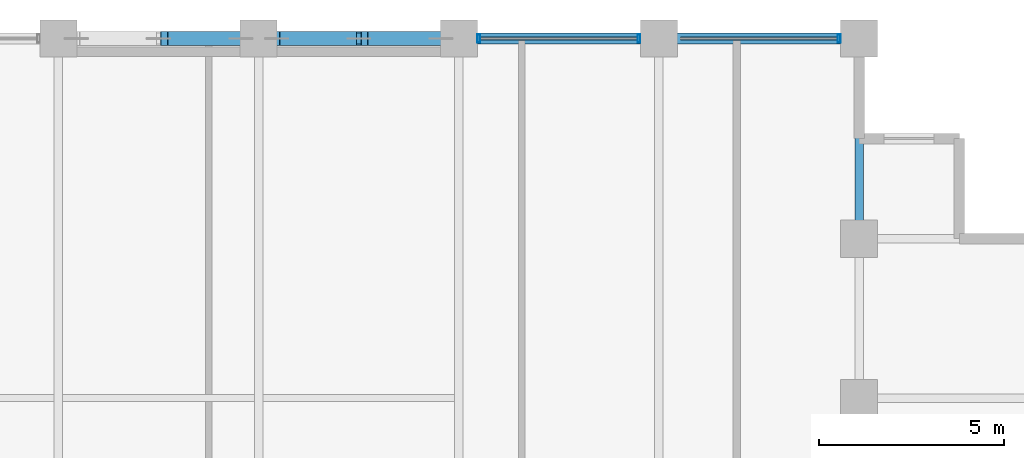
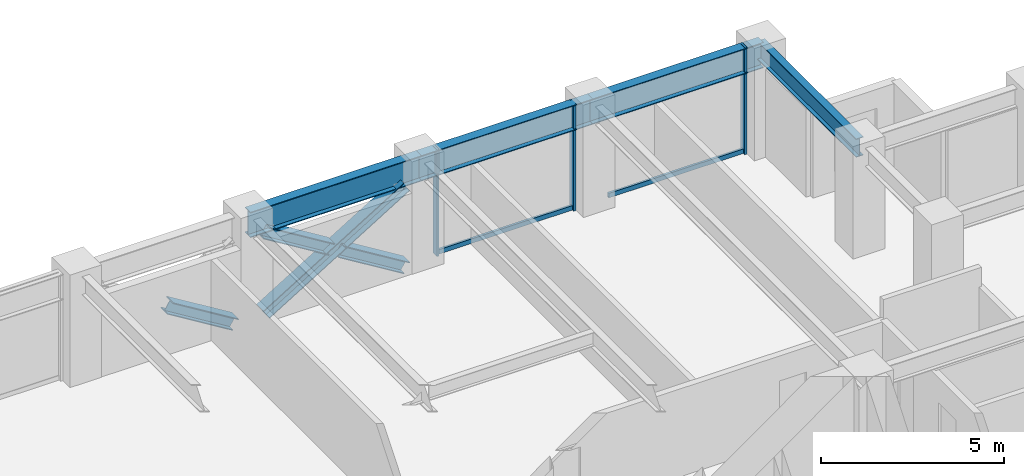
# One storey, part 17 of 26: 9 members, 4 beams, 1 element without a shape of its own.
"""IFC4 building model written with IfcOpenShell, lengths in metres."""

from ifc_helpers import new_model, si_unit, direction, frame, origin, origin_2d, place, context, subcontext, project, spatial, hollow_rectangle, i_section, extrude, material, layer, layer_set, material_profile, profile_set, type_object, element, aggregate, save


model = new_model("IFC4")

# Units and contexts
model_context = context("Model", 3, precision=1e-05, world=origin(), true_north=direction((0.0, 1.0)))
body_context = subcontext(model_context, "Body", "Model", "MODEL_VIEW")
ifc_project = project(units=[si_unit("LENGTHUNIT", "METRE"), si_unit("AREAUNIT", "SQUARE_METRE"), si_unit("VOLUMEUNIT", "CUBIC_METRE"), si_unit("PLANEANGLEUNIT", "RADIAN"), si_unit("MASSUNIT", "GRAM", prefix="KILO")], contexts=[model_context])

# Site, building, storey
site_placement = place(None, origin())
site = spatial("IfcSite", under=ifc_project, at=site_placement, CompositionType="ELEMENT")
building_placement = place(site_placement, origin())
building = spatial("IfcBuilding", under=site, at=building_placement, Name="Surkhivell Harbour Commons", CompositionType="ELEMENT")
storey_placement = place(building_placement, frame((0.0, 0.0, 143.25)))
storey = spatial("IfcBuildingStorey", under=building, at=storey_placement, Name="L37", CompositionType="ELEMENT", Elevation=143.25)

# Beams
ifc_material_1 = material(Name="Steel S355", Category="steel")
ifc_material_profile_1 = material_profile(ifc_material_1, i_section(OverallWidth=0.22998046875, OverallDepth=0.616943359375, WebThickness=0.01318359375, FlangeThickness=0.022216796875, at=origin_2d()), Name="UB610x229x140")
ifc_profile_set_1 = profile_set([ifc_material_profile_1], Name="Steel S355")
beam_type_1 = type_object("IfcBeamType", Name="BM-GRD-610B", PredefinedType="BEAM", material=ifc_profile_set_1)
beam_1_placement = place(storey_placement, frame((16.199951171875, 20.5, 3.261474609375), z_axis=(0.0, 1.0, 0.0), x_axis=(-1.0, 0.0, 0.0)))
element("IfcBeam", 1, at=beam_1_placement, inside=storey, type_object=beam_type_1, Name="L37 Floor Girder (16.2,20.5)", PredefinedType="BEAM", context=body_context, shape_type="SweptSolid", body=[
    extrude(i_section(OverallWidth=0.22998046875, OverallDepth=0.616943359375, WebThickness=0.01318359375, FlangeThickness=0.022216796875, at=origin_2d()), origin(), (0.0, 0.0, 1.0), 5.39990234375),
])
ifc_material_2 = material(Name="Steel S460", Category="steel")
ifc_material_profile_2 = material_profile(ifc_material_2, i_section(OverallWidth=0.2939453125, OverallDepth=0.85107421875, WebThickness=0.01611328125, FlangeThickness=0.02685546875, at=origin_2d()), Name="UB838x292x226")
ifc_profile_set_2 = profile_set([ifc_material_profile_2], Name="Steel S460")
beam_type_2 = type_object("IfcBeamType", Name="BM-SPN-838", PredefinedType="SPANDREL", material=ifc_profile_set_2)
beam_2_placement = place(storey_placement, frame((0.0, 25.89990234375, 3.14453125), z_axis=(1.0, 0.0, 0.0), x_axis=(0.0, 1.0, 0.0)))
element("IfcBeam", 2, at=beam_2_placement, inside=storey, type_object=beam_type_2, Name="L37 Tube Spandrel (-0.0,25.9)", PredefinedType="SPANDREL", context=body_context, shape_type="SweptSolid", body=[
    extrude(i_section(OverallWidth=0.2939453125, OverallDepth=0.85107421875, WebThickness=0.01611328125, FlangeThickness=0.02685546875, at=origin_2d()), origin(), (0.0, 0.0, 1.0), 5.39990234375),
])
beam_3_placement = place(storey_placement, frame((5.39990234375, 25.89990234375, 3.14453125), z_axis=(1.0, 0.0, 0.0), x_axis=(0.0, 1.0, 0.0)))
element("IfcBeam", 3, at=beam_3_placement, inside=storey, type_object=beam_type_2, Name="L37 Tube Spandrel (5.4,25.9)", PredefinedType="SPANDREL", context=body_context, shape_type="SweptSolid", body=[
    extrude(i_section(OverallWidth=0.2939453125, OverallDepth=0.85107421875, WebThickness=0.01611328125, FlangeThickness=0.02685546875, at=origin_2d()), origin(), (0.0, 0.0, 1.0), 5.400146484375),
])
beam_4_placement = place(storey_placement, frame((10.800048828125, 25.89990234375, 3.14453125), z_axis=(1.0, 0.0, 0.0), x_axis=(0.0, 1.0, 0.0)))
element("IfcBeam", 4, at=beam_4_placement, inside=storey, type_object=beam_type_2, Name="L37 Tube Spandrel (10.8,25.9)", PredefinedType="SPANDREL", context=body_context, shape_type="SweptSolid", body=[
    extrude(i_section(OverallWidth=0.2939453125, OverallDepth=0.85107421875, WebThickness=0.01611328125, FlangeThickness=0.02685546875, at=origin_2d()), origin(), (0.0, 0.0, 1.0), 5.39990234375),
])

# Curtain wall, members
ifc_material_3 = material(Name="Anodised pale-metal aluminium and insulated glazing", Category="aluminium")
ifc_layer = layer(ifc_material_3, 0.205078125)
ifc_layer_set = layer_set([ifc_layer], Name="Anodised pale-metal aluminium and insulated glazing")
curtain_wall_type = type_object("IfcCurtainWallType", Name="CW-SYS-Z2", PredefinedType="NOTDEFINED", material=ifc_layer_set)
curtain_wall_placement = place(storey_placement, origin())
curtain_wall = element("IfcCurtainWall", 5, at=curtain_wall_placement, inside=storey, type_object=curtain_wall_type, Name="L37 Curtain Wall CW-L37-E07S1", PredefinedType="NOTDEFINED")
ifc_material_4 = material(Name="Anodised pale-metal aluminium alloy 6063-T6", Category="aluminium")
ifc_material_profile_3 = material_profile(ifc_material_4, hollow_rectangle(XDim=0.074951171875, YDim=0.219970703125, WallThickness=0.00390625, at=origin_2d()), Name="ALU-MULL-75x220")
ifc_profile_set_3 = profile_set([ifc_material_profile_3], Name="Anodised pale-metal aluminium alloy 6063-T6")
member_type_1 = type_object("IfcMemberType", Name="CWM-220", PredefinedType="MULLION", material=ifc_profile_set_3)
member_1_placement = place(storey_placement, frame((15.660400390625, 25.89990234375, 0.0), z_axis=(0.0, 0.0, 1.0), x_axis=(-1.0, 0.0, 0.0)))
member_1 = element("IfcMember", 6, at=member_1_placement, type_object=member_type_1, Name="CW-Z2 mullion 1", PredefinedType="MULLION", context=body_context, shape_type="SweptSolid", body=[
    extrude(hollow_rectangle(XDim=0.074951171875, YDim=0.219970703125, WallThickness=0.00390625, at=origin_2d()), origin(), (0.0, 0.0, 1.0), 3.570068359375),
])
member_2_placement = place(storey_placement, frame((10.260498046875, 25.89990234375, 0.0), z_axis=(0.0, 0.0, 1.0), x_axis=(-1.0, 0.0, 0.0)))
member_2 = element("IfcMember", 7, at=member_2_placement, type_object=member_type_1, Name="CW-Z2 mullion 2", PredefinedType="MULLION", context=body_context, shape_type="SweptSolid", body=[
    extrude(hollow_rectangle(XDim=0.074951171875, YDim=0.219970703125, WallThickness=0.00390625, at=origin_2d()), origin(), (0.0, 0.0, 1.0), 3.570068359375),
])
member_3_placement = place(storey_placement, frame((5.939453125, 25.89990234375, 0.0), z_axis=(0.0, 0.0, 1.0), x_axis=(-1.0, 0.0, 0.0)))
member_3 = element("IfcMember", 8, at=member_3_placement, type_object=member_type_1, Name="CW-Z2 mullion 3", PredefinedType="MULLION", context=body_context, shape_type="SweptSolid", body=[
    extrude(hollow_rectangle(XDim=0.074951171875, YDim=0.219970703125, WallThickness=0.00390625, at=origin_2d()), origin(), (0.0, 0.0, 1.0), 3.570068359375),
])
ifc_material_profile_4 = material_profile(ifc_material_4, hollow_rectangle(XDim=0.074951171875, YDim=0.14990234375, WallThickness=0.00341796875, at=origin_2d()), Name="ALU-TRAN-75x150")
ifc_profile_set_4 = profile_set([ifc_material_profile_4], Name="Anodised pale-metal aluminium alloy 6063-T6")
member_type_2 = type_object("IfcMemberType", Name="CWT-150", PredefinedType="USERDEFINED", material=ifc_profile_set_4)
member_4_placement = place(storey_placement, frame((15.623046875, 25.89990234375, 0.074951171875), z_axis=(-1.0, 0.0, 0.0), x_axis=(0.0, -1.0, 0.0)))
member_4 = element("IfcMember", 9, at=member_4_placement, type_object=member_type_2, Name="CW-Z2 transom 1.1", ObjectType="TRANSOM", PredefinedType="USERDEFINED", context=body_context, shape_type="SweptSolid", body=[
    extrude(hollow_rectangle(XDim=0.074951171875, YDim=0.14990234375, WallThickness=0.00341796875, at=origin_2d()), origin(), (0.0, 0.0, 1.0), 4.24609375),
])
member_5_placement = place(storey_placement, frame((10.222900390625, 25.89990234375, 0.074951171875), z_axis=(-1.0, 0.0, 0.0), x_axis=(0.0, -1.0, 0.0)))
member_5 = element("IfcMember", 10, at=member_5_placement, type_object=member_type_2, Name="CW-Z2 transom 2.1", ObjectType="TRANSOM", PredefinedType="USERDEFINED", context=body_context, shape_type="SweptSolid", body=[
    extrude(hollow_rectangle(XDim=0.074951171875, YDim=0.14990234375, WallThickness=0.00341796875, at=origin_2d()), origin(), (0.0, 0.0, 1.0), 4.245849609375),
])
aggregate(curtain_wall, [member_1, member_4, member_2, member_3, member_5])

# Members
ifc_material_profile_5 = material_profile(ifc_material_2, i_section(OverallWidth=0.375, OverallDepth=0.375, WebThickness=0.0166015625, FlangeThickness=0.027099609375, at=origin_2d()), Name="UC356x368x202")
ifc_profile_set_5 = profile_set([ifc_material_profile_5], Name="Steel S460")
member_type_3 = type_object("IfcMemberType", Name="MEM-BRC-UC356", PredefinedType="BRACE", material=ifc_profile_set_5)
member_6_placement = place(storey_placement, frame((-0.485107421875, 25.89990234375, 0.008056640625), z_axis=(-0.852589641581, 0.0, 0.522581001443), x_axis=(0.0, -1.0, 0.0)))
element("IfcMember", 11, at=member_6_placement, inside=storey, type_object=member_type_3, Name="L37 Perimeter Mega-Brace MB- 02", PredefinedType="BRACE", context=body_context, shape_type="SweptSolid", body=[
    extrude(i_section(OverallWidth=0.375, OverallDepth=0.375, WebThickness=0.0166015625, FlangeThickness=0.027099609375, at=origin_2d()), origin(), (0.0, 0.0, 1.0), 2.417724609375),
])
member_7_placement = place(storey_placement, frame((0.485107421875, 25.89990234375, 0.008056640625), z_axis=(0.852624888477, 0.0, 0.522523491864), x_axis=(0.0, 1.0, 0.0)))
element("IfcMember", 12, at=member_7_placement, inside=storey, type_object=member_type_3, Name="L37 Perimeter Mega-Brace MB- 04", PredefinedType="BRACE", context=body_context, shape_type="SweptSolid", body=[
    extrude(i_section(OverallWidth=0.375, OverallDepth=0.375, WebThickness=0.0166015625, FlangeThickness=0.027099609375, at=origin_2d()), origin(), (0.0, 0.0, 1.0), 5.195556640625),
])
member_8_placement = place(storey_placement, frame((4.9150390625, 25.89990234375, 0.008056640625), z_axis=(-0.852617215241, 0.0, 0.52253601242), x_axis=(0.0, -1.0, 0.0)))
element("IfcMember", 13, at=member_8_placement, inside=storey, type_object=member_type_3, Name="L37 Perimeter Mega-Brace MB- 05", PredefinedType="BRACE", context=body_context, shape_type="SweptSolid", body=[
    extrude(i_section(OverallWidth=0.375, OverallDepth=0.375, WebThickness=0.0166015625, FlangeThickness=0.027099609375, at=origin_2d()), origin(), (0.0, 0.0, 1.0), 2.41796875),
])
member_9_placement = place(storey_placement, frame((2.54638671875, 25.89990234375, 1.459716796875), z_axis=(-0.852634632964, 0.0, 0.522507591017), x_axis=(0.0, -1.0, 0.0)))
element("IfcMember", 14, at=member_9_placement, inside=storey, type_object=member_type_3, Name="L37 Perimeter Mega-Brace MB- 06", PredefinedType="BRACE", context=body_context, shape_type="SweptSolid", body=[
    extrude(i_section(OverallWidth=0.375, OverallDepth=0.375, WebThickness=0.0166015625, FlangeThickness=0.027099609375, at=origin_2d()), origin(), (0.0, 0.0, 1.0), 2.41748046875),
])

save(model, "model.ifc")
